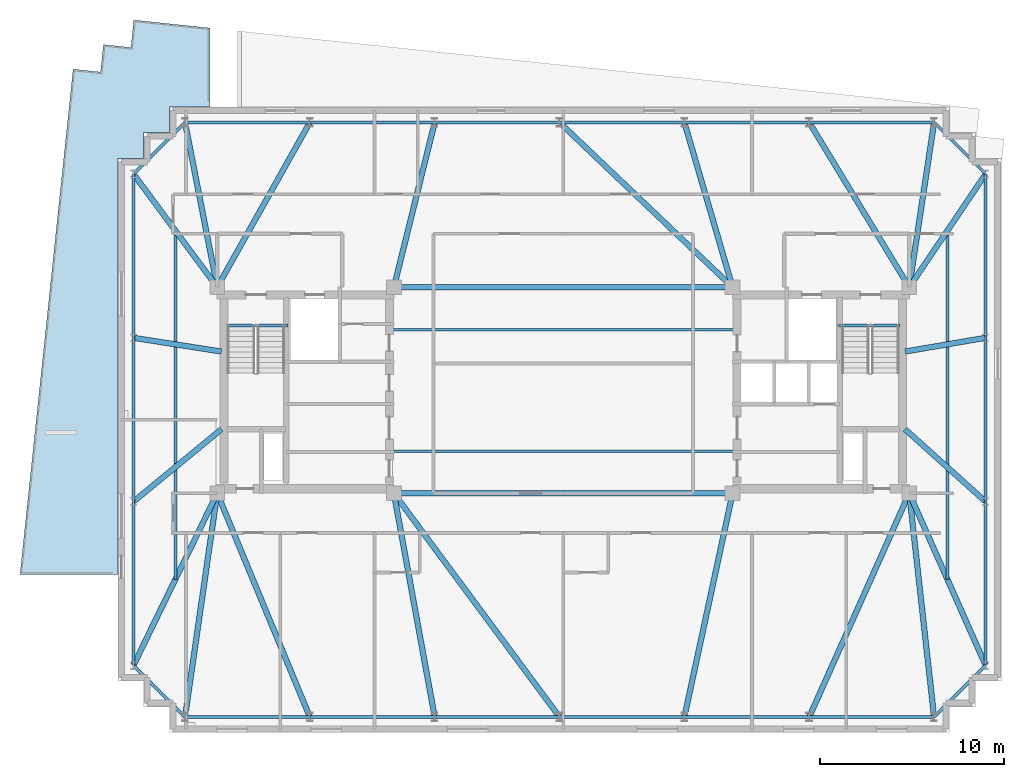
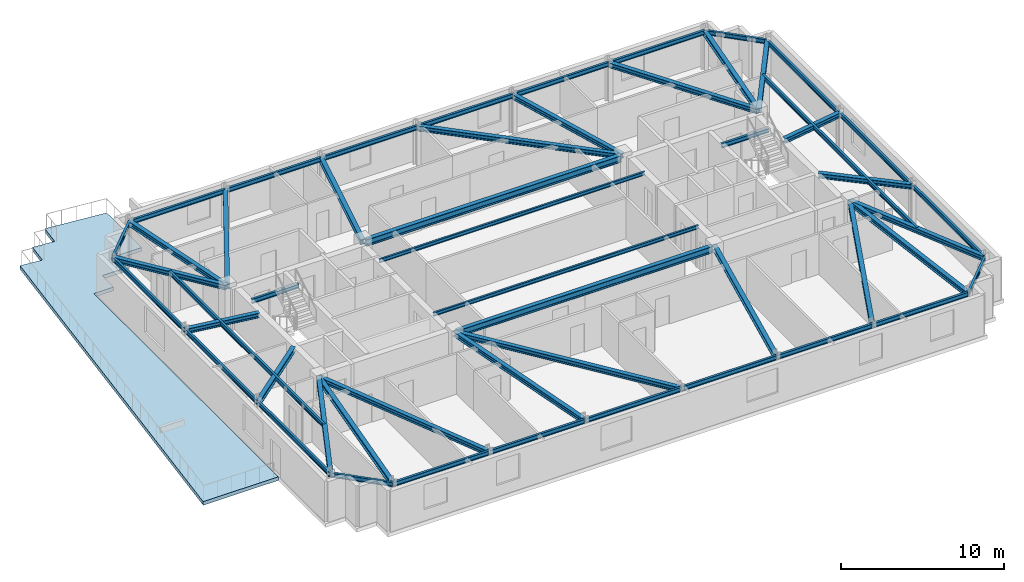
# One storey, part 4 of 12: 52 beams, 1 slab.
"""IFC4 building model written with IfcOpenShell, lengths in metres."""

from ifc_helpers import new_model, si_unit, direction, frame, origin, origin_2d, place, context, subcontext, project, spatial, polyline, i_section, outline, extrude, material, layer, layer_set, material_profile, profile_set, type_object, element, save


model = new_model("IFC4")

# Units and contexts
model_context = context("Model", 3, precision=1e-05, world=origin(), true_north=direction((0.0, 1.0)))
body_context = subcontext(model_context, "Body", "Model", "MODEL_VIEW")
ifc_project = project(units=[si_unit("LENGTHUNIT", "METRE"), si_unit("AREAUNIT", "SQUARE_METRE"), si_unit("VOLUMEUNIT", "CUBIC_METRE"), si_unit("PLANEANGLEUNIT", "RADIAN"), si_unit("MASSUNIT", "GRAM", prefix="KILO")], contexts=[model_context])

# Site, building, storey
site_placement = place(None, origin())
site = spatial("IfcSite", under=ifc_project, at=site_placement, CompositionType="ELEMENT")
building_placement = place(site_placement, origin())
building = spatial("IfcBuilding", under=site, at=building_placement, Name="Qobustan Lattice House", CompositionType="ELEMENT")
storey_placement = place(building_placement, frame((0.0, 0.0, 228.300048828125)))
storey = spatial("IfcBuildingStorey", under=building, at=storey_placement, Name="L64", CompositionType="ELEMENT", Elevation=228.300048828125)

# Beams
ifc_material_1 = material(Name="Steel S355", Category="steel")
ifc_material_profile_1 = material_profile(ifc_material_1, i_section(OverallWidth=0.300048828125, OverallDepth=0.5, WebThickness=0.014404296875, FlangeThickness=0.028076171875, FilletRadius=0.027099609375, at=origin_2d()), Name="HEB500")
ifc_profile_set_1 = profile_set([ifc_material_profile_1], Name="Steel S355")
beam_type_1 = type_object("IfcBeamType", Name="BM-CG-HEB500", PredefinedType="USERDEFINED", material=ifc_profile_set_1)
for number, where, z_axis, x_axis, name in (
    (1, (-9.050048828125, -5.60009765625, 2.7900390625), (1.0, 0.0, 0.0), (0.0, 1.0, 0.0), "L64 core spine girder CG-CS"),
    (2, (-9.050048828125, 5.60009765625, 2.7900390625), (1.0, 0.0, 0.0), (0.0, 1.0, 0.0), "L64 core spine girder CG-CN"),
):
    element("IfcBeam", number, at=place(storey_placement, frame(where, z_axis=z_axis, x_axis=x_axis)), inside=storey, type_object=beam_type_1, Name=name, ObjectType="GIRDER", PredefinedType="USERDEFINED", context=body_context, shape_type="SweptSolid", body=[
        extrude(i_section(OverallWidth=0.300048828125, OverallDepth=0.5, WebThickness=0.014404296875, FlangeThickness=0.028076171875, FilletRadius=0.027099609375, at=origin_2d()), origin(), (0.0, 0.0, 1.0), 18.10009765625),
    ])
ifc_material_2 = material(Name="Steel S355", Category="steel")
ifc_material_profile_2 = material_profile(ifc_material_2, i_section(OverallWidth=0.300048828125, OverallDepth=0.360107421875, WebThickness=0.012451171875, FlangeThickness=0.0224609375, FilletRadius=0.027099609375, at=origin_2d()), Name="HEB360")
ifc_profile_set_2 = profile_set([ifc_material_profile_2], Name="Steel S355")
beam_type_2 = type_object("IfcBeamType", Name="BM-FLG-HEB360", PredefinedType="USERDEFINED", material=ifc_profile_set_2)
beam_1_placement = place(storey_placement, frame((-20.54638671875, -17.725341796875, 2.85986328125), z_axis=(0.142545171265, 0.989788297642, 0.0), x_axis=(-0.989788297642, 0.142545171265, 0.0)))
element("IfcBeam", 3, at=beam_1_placement, inside=storey, type_object=beam_type_2, Name="L64 primary floor girder RAD-S1W", ObjectType="GIRDER", PredefinedType="USERDEFINED", context=body_context, shape_type="SweptSolid", body=[
    extrude(i_section(OverallWidth=0.300048828125, OverallDepth=0.360107421875, WebThickness=0.012451171875, FlangeThickness=0.0224609375, FilletRadius=0.027099609375, at=origin_2d()), origin(), (0.0, 0.0, 1.0), 12.225341796875),
])
beam_2_placement = place(storey_placement, frame((-13.7763671875, -17.726806640625, 2.85986328125), z_axis=(-0.38270783551, 0.92386942402, 0.0), x_axis=(-0.92386942402, -0.38270783551, 0.0)))
element("IfcBeam", 4, at=beam_2_placement, inside=storey, type_object=beam_type_2, Name="L64 primary floor girder RAD-S2", ObjectType="GIRDER", PredefinedType="USERDEFINED", context=body_context, shape_type="SweptSolid", body=[
    extrude(i_section(OverallWidth=0.300048828125, OverallDepth=0.360107421875, WebThickness=0.012451171875, FlangeThickness=0.0224609375, FilletRadius=0.027099609375, at=origin_2d()), origin(), (0.0, 0.0, 1.0), 13.10107421875),
])
beam_3_placement = place(storey_placement, frame((-6.98779296875, -17.725341796875, 2.85986328125), z_axis=(-0.179484493831, 0.983760802469, 0.0), x_axis=(-0.983760802469, -0.179484493831, 0.0)))
element("IfcBeam", 5, at=beam_3_placement, inside=storey, type_object=beam_type_2, Name="L64 primary floor girder RAD-S3", ObjectType="GIRDER", PredefinedType="USERDEFINED", context=body_context, shape_type="SweptSolid", body=[
    extrude(i_section(OverallWidth=0.300048828125, OverallDepth=0.360107421875, WebThickness=0.012451171875, FlangeThickness=0.0224609375, FilletRadius=0.027099609375, at=origin_2d()), origin(), (0.0, 0.0, 1.0), 12.300537109375),
])
beam_4_placement = place(storey_placement, frame((-0.21484375, -17.72998046875, 2.85986328125), z_axis=(-0.595225226069, 0.803558915233, 0.0), x_axis=(-0.803558915233, -0.595225226069, 0.0)))
element("IfcBeam", 6, at=beam_4_placement, inside=storey, type_object=beam_type_2, Name="L64 primary floor girder RAD-S4", ObjectType="GIRDER", PredefinedType="USERDEFINED", context=body_context, shape_type="SweptSolid", body=[
    extrude(i_section(OverallWidth=0.300048828125, OverallDepth=0.360107421875, WebThickness=0.012451171875, FlangeThickness=0.0224609375, FilletRadius=0.027099609375, at=origin_2d()), origin(), (0.0, 0.0, 1.0), 15.0703125),
])
beam_5_placement = place(storey_placement, frame((6.588623046875, -17.7255859375, 2.85986328125), z_axis=(0.210523018319, 0.977588900693, 0.0), x_axis=(-0.977588900693, 0.210523018319, 0.0)))
element("IfcBeam", 7, at=beam_5_placement, inside=storey, type_object=beam_type_2, Name="L64 primary floor girder RAD-S5", ObjectType="GIRDER", PredefinedType="USERDEFINED", context=body_context, shape_type="SweptSolid", body=[
    extrude(i_section(OverallWidth=0.300048828125, OverallDepth=0.360107421875, WebThickness=0.012451171875, FlangeThickness=0.0224609375, FilletRadius=0.027099609375, at=origin_2d()), origin(), (0.0, 0.0, 1.0), 12.37841796875),
])
beam_6_placement = place(storey_placement, frame((13.376953125, -17.727294921875, 2.85986328125), z_axis=(0.408219903586, 0.912883623643, 0.0), x_axis=(-0.912883623643, 0.408219903586, 0.0)))
element("IfcBeam", 8, at=beam_6_placement, inside=storey, type_object=beam_type_2, Name="L64 primary floor girder RAD-S6", ObjectType="GIRDER", PredefinedType="USERDEFINED", context=body_context, shape_type="SweptSolid", body=[
    extrude(i_section(OverallWidth=0.300048828125, OverallDepth=0.360107421875, WebThickness=0.012451171875, FlangeThickness=0.0224609375, FilletRadius=0.027099609375, at=origin_2d()), origin(), (0.0, 0.0, 1.0), 13.259521484375),
])
beam_7_placement = place(storey_placement, frame((20.147216796875, -17.72509765625, 2.85986328125), z_axis=(-0.110431526075, 0.993883734674, 0.0), x_axis=(-0.993883734674, -0.110431526075, 0.0)))
element("IfcBeam", 9, at=beam_7_placement, inside=storey, type_object=beam_type_2, Name="L64 primary floor girder RAD-S7E", ObjectType="GIRDER", PredefinedType="USERDEFINED", context=body_context, shape_type="SweptSolid", body=[
    extrude(i_section(OverallWidth=0.300048828125, OverallDepth=0.360107421875, WebThickness=0.012451171875, FlangeThickness=0.0224609375, FilletRadius=0.027099609375, at=origin_2d()), origin(), (0.0, 0.0, 1.0), 12.1748046875),
])
beam_8_placement = place(storey_placement, frame((-20.545166015625, 14.525390625, 2.85986328125), z_axis=(0.191905644581, -0.981413380578, 0.0), x_axis=(0.981413380578, 0.191905644581, 0.0)))
element("IfcBeam", 10, at=beam_8_placement, inside=storey, type_object=beam_type_2, Name="L64 primary floor girder RAD-N7W", ObjectType="GIRDER", PredefinedType="USERDEFINED", context=body_context, shape_type="SweptSolid", body=[
    extrude(i_section(OverallWidth=0.300048828125, OverallDepth=0.360107421875, WebThickness=0.012451171875, FlangeThickness=0.0224609375, FilletRadius=0.027099609375, at=origin_2d()), origin(), (0.0, 0.0, 1.0), 9.0693359375),
])
beam_9_placement = place(storey_placement, frame((-13.779052734375, 14.5283203125, 2.85986328125), z_axis=(-0.490160276962, -0.871632320929, 0.0), x_axis=(0.871632320929, -0.490160276962, 0.0)))
element("IfcBeam", 11, at=beam_9_placement, inside=storey, type_object=beam_type_2, Name="L64 primary floor girder RAD-N6", ObjectType="GIRDER", PredefinedType="USERDEFINED", context=body_context, shape_type="SweptSolid", body=[
    extrude(i_section(OverallWidth=0.300048828125, OverallDepth=0.360107421875, WebThickness=0.012451171875, FlangeThickness=0.0224609375, FilletRadius=0.027099609375, at=origin_2d()), origin(), (0.0, 0.0, 1.0), 10.21826171875),
])
beam_10_placement = place(storey_placement, frame((-6.9892578125, 14.525634765625, 2.85986328125), z_axis=(-0.240430288899, -0.970666408289, 0.0), x_axis=(0.970666408289, -0.240430288899, 0.0)))
element("IfcBeam", 12, at=beam_10_placement, inside=storey, type_object=beam_type_2, Name="L64 primary floor girder RAD-N5", ObjectType="GIRDER", PredefinedType="USERDEFINED", context=body_context, shape_type="SweptSolid", body=[
    extrude(i_section(OverallWidth=0.300048828125, OverallDepth=0.360107421875, WebThickness=0.012451171875, FlangeThickness=0.0224609375, FilletRadius=0.027099609375, at=origin_2d()), origin(), (0.0, 0.0, 1.0), 9.17041015625),
])
beam_11_placement = place(storey_placement, frame((-0.181884765625, 14.53271484375, 2.85986328125), z_axis=(0.724228633775, -0.689559921995, 0.0), x_axis=(0.689559921995, 0.724228633775, 0.0)))
element("IfcBeam", 13, at=beam_11_placement, inside=storey, type_object=beam_type_2, Name="L64 primary floor girder RAD-N4", ObjectType="GIRDER", PredefinedType="USERDEFINED", context=body_context, shape_type="SweptSolid", body=[
    extrude(i_section(OverallWidth=0.300048828125, OverallDepth=0.360107421875, WebThickness=0.012451171875, FlangeThickness=0.0224609375, FilletRadius=0.027099609375, at=origin_2d()), origin(), (0.0, 0.0, 1.0), 12.92919921875),
])
beam_12_placement = place(storey_placement, frame((6.59033203125, 14.52587890625, 2.85986328125), z_axis=(0.28063676088, -0.959814048888, 0.0), x_axis=(0.959814048888, 0.28063676088, 0.0)))
element("IfcBeam", 14, at=beam_12_placement, inside=storey, type_object=beam_type_2, Name="L64 primary floor girder RAD-N3", ObjectType="GIRDER", PredefinedType="USERDEFINED", context=body_context, shape_type="SweptSolid", body=[
    extrude(i_section(OverallWidth=0.300048828125, OverallDepth=0.360107421875, WebThickness=0.012451171875, FlangeThickness=0.0224609375, FilletRadius=0.027099609375, at=origin_2d()), origin(), (0.0, 0.0, 1.0), 9.274658203125),
])
beam_13_placement = place(storey_placement, frame((13.379638671875, 14.528564453125, 2.85986328125), z_axis=(0.518943895492, -0.854808302096, 0.0), x_axis=(0.854808302096, 0.518943895492, 0.0)))
element("IfcBeam", 15, at=beam_13_placement, inside=storey, type_object=beam_type_2, Name="L64 primary floor girder RAD-N2", ObjectType="GIRDER", PredefinedType="USERDEFINED", context=body_context, shape_type="SweptSolid", body=[
    extrude(i_section(OverallWidth=0.300048828125, OverallDepth=0.360107421875, WebThickness=0.012451171875, FlangeThickness=0.0224609375, FilletRadius=0.027099609375, at=origin_2d()), origin(), (0.0, 0.0, 1.0), 10.420166015625),
])
beam_14_placement = place(storey_placement, frame((20.146240234375, 14.525390625, 2.85986328125), z_axis=(-0.149148118249, -0.988814865798, 0.0), x_axis=(0.988814865798, -0.149148118249, 0.0)))
element("IfcBeam", 16, at=beam_14_placement, inside=storey, type_object=beam_type_2, Name="L64 primary floor girder RAD-N1E", ObjectType="GIRDER", PredefinedType="USERDEFINED", context=body_context, shape_type="SweptSolid", body=[
    extrude(i_section(OverallWidth=0.300048828125, OverallDepth=0.360107421875, WebThickness=0.012451171875, FlangeThickness=0.0224609375, FilletRadius=0.027099609375, at=origin_2d()), origin(), (0.0, 0.0, 1.0), 9.001220703125),
])
beam_15_placement = place(storey_placement, frame((-23.335205078125, 11.72998046875, 2.85986328125), z_axis=(0.594754993974, -0.80390702021, 0.0), x_axis=(0.80390702021, 0.594754993974, 0.0)))
element("IfcBeam", 17, at=beam_15_placement, inside=storey, type_object=beam_type_2, Name="L64 primary floor girder RAD-W1", ObjectType="GIRDER", PredefinedType="USERDEFINED", context=body_context, shape_type="SweptSolid", body=[
    extrude(i_section(OverallWidth=0.300048828125, OverallDepth=0.360107421875, WebThickness=0.012451171875, FlangeThickness=0.0224609375, FilletRadius=0.027099609375, at=origin_2d()), origin(), (0.0, 0.0, 1.0), 7.60009765625),
])
beam_16_placement = place(storey_placement, frame((-23.3251953125, 2.84619140625, 2.85986328125), z_axis=(0.988014453876, -0.154361390677, 0.0), x_axis=(0.154361390677, 0.988014453876, 0.0)))
element("IfcBeam", 18, at=beam_16_placement, inside=storey, type_object=beam_type_2, Name="L64 primary floor girder RAD-W2", ObjectType="GIRDER", PredefinedType="USERDEFINED", context=body_context, shape_type="SweptSolid", body=[
    extrude(i_section(OverallWidth=0.300048828125, OverallDepth=0.360107421875, WebThickness=0.012451171875, FlangeThickness=0.0224609375, FilletRadius=0.027099609375, at=origin_2d()), origin(), (0.0, 0.0, 1.0), 4.80810546875),
])
beam_17_placement = place(storey_placement, frame((-23.330810546875, -6.0341796875, 2.85986328125), z_axis=(0.772169041192, 0.635417163621, 0.0), x_axis=(-0.635417163621, 0.772169041192, 0.0)))
element("IfcBeam", 19, at=beam_17_placement, inside=storey, type_object=beam_type_2, Name="L64 primary floor girder RAD-W3", ObjectType="GIRDER", PredefinedType="USERDEFINED", context=body_context, shape_type="SweptSolid", body=[
    extrude(i_section(OverallWidth=0.300048828125, OverallDepth=0.360107421875, WebThickness=0.012451171875, FlangeThickness=0.0224609375, FilletRadius=0.027099609375, at=origin_2d()), origin(), (0.0, 0.0, 1.0), 6.166259765625),
])
beam_18_placement = place(storey_placement, frame((-23.339111328125, -14.927490234375, 2.85986328125), z_axis=(0.437590490598, 0.899174378271, 0.0), x_axis=(-0.899174378271, 0.437590490598, 0.0)))
element("IfcBeam", 20, at=beam_18_placement, inside=storey, type_object=beam_type_2, Name="L64 primary floor girder RAD-W4", ObjectType="GIRDER", PredefinedType="USERDEFINED", context=body_context, shape_type="SweptSolid", body=[
    extrude(i_section(OverallWidth=0.300048828125, OverallDepth=0.360107421875, WebThickness=0.012451171875, FlangeThickness=0.0224609375, FilletRadius=0.027099609375, at=origin_2d()), origin(), (0.0, 0.0, 1.0), 10.348388671875),
])
beam_19_placement = place(storey_placement, frame((22.93603515625, 11.729248046875, 2.85986328125), z_axis=(-0.559355068937, -0.828928167488, 0.0), x_axis=(0.828928167488, -0.559355068937, 0.0)))
element("IfcBeam", 21, at=beam_19_placement, inside=storey, type_object=beam_type_2, Name="L64 primary floor girder RAD-E4", ObjectType="GIRDER", PredefinedType="USERDEFINED", context=body_context, shape_type="SweptSolid", body=[
    extrude(i_section(OverallWidth=0.300048828125, OverallDepth=0.360107421875, WebThickness=0.012451171875, FlangeThickness=0.0224609375, FilletRadius=0.027099609375, at=origin_2d()), origin(), (0.0, 0.0, 1.0), 7.369384765625),
])
beam_20_placement = place(storey_placement, frame((22.92529296875, 2.845703125, 2.85986328125), z_axis=(-0.985786297247, -0.168004095664, 0.0), x_axis=(0.168004095664, -0.985786297247, 0.0)))
element("IfcBeam", 22, at=beam_20_placement, inside=storey, type_object=beam_type_2, Name="L64 primary floor girder RAD-E3", ObjectType="GIRDER", PredefinedType="USERDEFINED", context=body_context, shape_type="SweptSolid", body=[
    extrude(i_section(OverallWidth=0.300048828125, OverallDepth=0.360107421875, WebThickness=0.012451171875, FlangeThickness=0.0224609375, FilletRadius=0.027099609375, at=origin_2d()), origin(), (0.0, 0.0, 1.0), 4.413330078125),
])
beam_21_placement = place(storey_placement, frame((22.931396484375, -6.033203125, 2.85986328125), z_axis=(-0.744142492307, 0.668020921186, 0.0), x_axis=(-0.668020921186, -0.744142492307, 0.0)))
element("IfcBeam", 23, at=beam_21_placement, inside=storey, type_object=beam_type_2, Name="L64 primary floor girder RAD-E2", ObjectType="GIRDER", PredefinedType="USERDEFINED", context=body_context, shape_type="SweptSolid", body=[
    extrude(i_section(OverallWidth=0.300048828125, OverallDepth=0.360107421875, WebThickness=0.012451171875, FlangeThickness=0.0224609375, FilletRadius=0.027099609375, at=origin_2d()), origin(), (0.0, 0.0, 1.0), 5.86279296875),
])
beam_22_placement = place(storey_placement, frame((22.93994140625, -14.927001953125, 2.85986328125), z_axis=(-0.405702269061, 0.914005289306, 0.0), x_axis=(-0.914005289306, -0.405702269061, 0.0)))
element("IfcBeam", 24, at=beam_22_placement, inside=storey, type_object=beam_type_2, Name="L64 primary floor girder RAD-E1", ObjectType="GIRDER", PredefinedType="USERDEFINED", context=body_context, shape_type="SweptSolid", body=[
    extrude(i_section(OverallWidth=0.300048828125, OverallDepth=0.360107421875, WebThickness=0.012451171875, FlangeThickness=0.0224609375, FilletRadius=0.027099609375, at=origin_2d()), origin(), (0.0, 0.0, 1.0), 10.1796875),
])
ifc_material_3 = material(Name="Steel S355", Category="steel")
ifc_material_profile_3 = material_profile(ifc_material_3, i_section(OverallWidth=0.135009765625, OverallDepth=0.27001953125, WebThickness=0.006591796875, FlangeThickness=0.01025390625, FilletRadius=0.014892578125, at=origin_2d()), Name="IPE270")
ifc_profile_set_3 = profile_set([ifc_material_profile_3], Name="Steel S355")
beam_type_3 = type_object("IfcBeamType", Name="BM-JST-IPE270", PredefinedType="JOIST", material=ifc_profile_set_3)
for number, where, z_axis, x_axis, name in (
    (25, (-9.39990234375, -3.300048828125, 2.905029296875), (1.0, 0.0, 0.0), (0.0, 1.0, 0.0), "L64 central span floor joist 1"),
    (26, (-9.39990234375, 3.300048828125, 2.905029296875), (1.0, 0.0, 0.0), (0.0, 1.0, 0.0), "L64 central span floor joist 2"),
):
    element("IfcBeam", number, at=place(storey_placement, frame(where, z_axis=z_axis, x_axis=x_axis)), inside=storey, type_object=beam_type_3, Name=name, PredefinedType="JOIST", context=body_context, shape_type="SweptSolid", body=[
        extrude(i_section(OverallWidth=0.135009765625, OverallDepth=0.27001953125, WebThickness=0.006591796875, FlangeThickness=0.01025390625, FilletRadius=0.014892578125, at=origin_2d()), origin(), (0.0, 0.0, 1.0), 18.7998046875),
    ])
ifc_material_4 = material(Name="Steel S355", Category="steel")
ifc_material_profile_4 = material_profile(ifc_material_4, i_section(OverallWidth=0.159912109375, OverallDepth=0.330078125, WebThickness=0.007568359375, FlangeThickness=0.011474609375, FilletRadius=0.01806640625, at=origin_2d()), Name="IPE330")
ifc_profile_set_4 = profile_set([ifc_material_profile_4], Name="Steel S355")
beam_type_4 = type_object("IfcBeamType", Name="BM-SEC-IPE330", PredefinedType="BEAM", material=ifc_profile_set_4)
for number, where, z_axis, x_axis, name in (
    (27, (-21.074951171875, 8.675048828125, 2.875), (0.0, -1.0, 0.0), (1.0, 0.0, 0.0), "L64 west wing secondary beam"),
    (28, (20.875, 8.675048828125, 2.875), (0.0, -1.0, 0.0), (1.0, 0.0, 0.0), "L64 east wing secondary beam"),
):
    element("IfcBeam", number, at=place(storey_placement, frame(where, z_axis=z_axis, x_axis=x_axis)), inside=storey, type_object=beam_type_4, Name=name, PredefinedType="BEAM", context=body_context, shape_type="SweptSolid", body=[
        extrude(i_section(OverallWidth=0.159912109375, OverallDepth=0.330078125, WebThickness=0.007568359375, FlangeThickness=0.011474609375, FilletRadius=0.01806640625, at=origin_2d()), origin(), (0.0, 0.0, 1.0), 18.949951171875),
    ])
ifc_material_5 = material(Name="Steel S355", Category="steel")
ifc_material_profile_5 = material_profile(ifc_material_5, i_section(OverallWidth=0.159912109375, OverallDepth=0.330078125, WebThickness=0.007568359375, FlangeThickness=0.011474609375, FilletRadius=0.01806640625, at=origin_2d()), Name="IPE330")
ifc_profile_set_5 = profile_set([ifc_material_profile_5], Name="Steel S355")
beam_type_5 = type_object("IfcBeamType", Name="BM-SPD-IPE330", PredefinedType="SPANDREL", material=ifc_profile_set_5)
for number, where, z_axis, x_axis, name in (
    (29, (-18.300048828125, 3.52001953125, 2.875), (1.0, 0.0, 0.0), (0.0, 1.0, 0.0), "L64 west stair landing trimmer beam"),
    (30, (14.949951171875, 3.52001953125, 2.875), (1.0, 0.0, 0.0), (0.0, 1.0, 0.0), "L64 east stair landing trimmer beam"),
):
    element("IfcBeam", number, at=place(storey_placement, frame(where, z_axis=z_axis, x_axis=x_axis)), inside=storey, type_object=beam_type_5, Name=name, PredefinedType="SPANDREL", context=body_context, shape_type="SweptSolid", body=[
        extrude(i_section(OverallWidth=0.159912109375, OverallDepth=0.330078125, WebThickness=0.007568359375, FlangeThickness=0.011474609375, FilletRadius=0.01806640625, at=origin_2d()), origin(), (0.0, 0.0, 1.0), 3.35009765625),
    ])
beam_23_placement = place(storey_placement, frame((-20.52490234375, -17.75, 2.875), z_axis=(1.0, 0.0, 0.0), x_axis=(0.0, 1.0, 0.0)))
element("IfcBeam", 31, at=beam_23_placement, inside=storey, type_object=beam_type_5, Name="L64 perimeter spandrel S1-S2", PredefinedType="SPANDREL", context=body_context, shape_type="SweptSolid", body=[
    extrude(i_section(OverallWidth=0.159912109375, OverallDepth=0.330078125, WebThickness=0.007568359375, FlangeThickness=0.011474609375, FilletRadius=0.01806640625, at=origin_2d()), origin(), (0.0, 0.0, 1.0), 6.733154296875),
])
beam_24_placement = place(storey_placement, frame((-13.74169921875, -17.75, 2.875), z_axis=(1.0, 0.0, 0.0), x_axis=(0.0, 1.0, 0.0)))
element("IfcBeam", 32, at=beam_24_placement, inside=storey, type_object=beam_type_5, Name="L64 perimeter spandrel S2-S3", PredefinedType="SPANDREL", context=body_context, shape_type="SweptSolid", body=[
    extrude(i_section(OverallWidth=0.159912109375, OverallDepth=0.330078125, WebThickness=0.007568359375, FlangeThickness=0.011474609375, FilletRadius=0.01806640625, at=origin_2d()), origin(), (0.0, 0.0, 1.0), 6.7333984375),
])
beam_25_placement = place(storey_placement, frame((-6.958251953125, -17.75, 2.875), z_axis=(1.0, 0.0, 0.0), x_axis=(0.0, 1.0, 0.0)))
element("IfcBeam", 33, at=beam_25_placement, inside=storey, type_object=beam_type_5, Name="L64 perimeter spandrel S3-S4", PredefinedType="SPANDREL", context=body_context, shape_type="SweptSolid", body=[
    extrude(i_section(OverallWidth=0.159912109375, OverallDepth=0.330078125, WebThickness=0.007568359375, FlangeThickness=0.011474609375, FilletRadius=0.01806640625, at=origin_2d()), origin(), (0.0, 0.0, 1.0), 6.733154296875),
])
for number, where, z_axis, x_axis, name in (
    (34, (-0.175048828125, -17.75, 2.875), (1.0, 0.0, 0.0), (0.0, 1.0, 0.0), "L64 perimeter spandrel S4-S5"),
    (35, (6.6083984375, -17.75, 2.875), (1.0, 0.0, 0.0), (0.0, 1.0, 0.0), "L64 perimeter spandrel S5-S6"),
    (36, (13.3916015625, -17.75, 2.875), (1.0, 0.0, 0.0), (0.0, 1.0, 0.0), "L64 perimeter spandrel S6-S7"),
):
    element("IfcBeam", number, at=place(storey_placement, frame(where, z_axis=z_axis, x_axis=x_axis)), inside=storey, type_object=beam_type_5, Name=name, PredefinedType="SPANDREL", context=body_context, shape_type="SweptSolid", body=[
        extrude(i_section(OverallWidth=0.159912109375, OverallDepth=0.330078125, WebThickness=0.007568359375, FlangeThickness=0.011474609375, FilletRadius=0.01806640625, at=origin_2d()), origin(), (0.0, 0.0, 1.0), 6.7333984375),
    ])
beam_26_placement = place(storey_placement, frame((20.167724609375, -17.732421875, 2.875), z_axis=(0.707106781187, 0.707106781187, 0.0), x_axis=(-0.707106781187, 0.707106781187, 0.0)))
element("IfcBeam", 37, at=beam_26_placement, inside=storey, type_object=beam_type_5, Name="L64 perimeter spandrel S7-E1", PredefinedType="SPANDREL", context=body_context, shape_type="SweptSolid", body=[
    extrude(i_section(OverallWidth=0.159912109375, OverallDepth=0.330078125, WebThickness=0.007568359375, FlangeThickness=0.011474609375, FilletRadius=0.01806640625, at=origin_2d()), origin(), (0.0, 0.0, 1.0), 3.909912109375),
])
beam_27_placement = place(storey_placement, frame((22.949951171875, -14.925048828125, 2.875), z_axis=(0.0, 1.0, 0.0), x_axis=(-1.0, 0.0, 0.0)))
element("IfcBeam", 38, at=beam_27_placement, inside=storey, type_object=beam_type_5, Name="L64 perimeter spandrel E1-E2", PredefinedType="SPANDREL", context=body_context, shape_type="SweptSolid", body=[
    extrude(i_section(OverallWidth=0.159912109375, OverallDepth=0.330078125, WebThickness=0.007568359375, FlangeThickness=0.011474609375, FilletRadius=0.01806640625, at=origin_2d()), origin(), (0.0, 0.0, 1.0), 8.85009765625),
])
beam_28_placement = place(storey_placement, frame((22.949951171875, -6.02490234375, 2.875), z_axis=(0.0, 1.0, 0.0), x_axis=(-1.0, 0.0, 0.0)))
element("IfcBeam", 39, at=beam_28_placement, inside=storey, type_object=beam_type_5, Name="L64 perimeter spandrel E2-E3", PredefinedType="SPANDREL", context=body_context, shape_type="SweptSolid", body=[
    extrude(i_section(OverallWidth=0.159912109375, OverallDepth=0.330078125, WebThickness=0.007568359375, FlangeThickness=0.011474609375, FilletRadius=0.01806640625, at=origin_2d()), origin(), (0.0, 0.0, 1.0), 8.849853515625),
])
beam_29_placement = place(storey_placement, frame((22.949951171875, 2.875, 2.875), z_axis=(0.0, 1.0, 0.0), x_axis=(-1.0, 0.0, 0.0)))
element("IfcBeam", 40, at=beam_29_placement, inside=storey, type_object=beam_type_5, Name="L64 perimeter spandrel E3-E4", PredefinedType="SPANDREL", context=body_context, shape_type="SweptSolid", body=[
    extrude(i_section(OverallWidth=0.159912109375, OverallDepth=0.330078125, WebThickness=0.007568359375, FlangeThickness=0.011474609375, FilletRadius=0.01806640625, at=origin_2d()), origin(), (0.0, 0.0, 1.0), 8.85009765625),
])
beam_30_placement = place(storey_placement, frame((22.932373046875, 11.767578125, 2.875), z_axis=(-0.707106781187, 0.707106781187, 0.0), x_axis=(-0.707106781187, -0.707106781187, 0.0)))
element("IfcBeam", 41, at=beam_30_placement, inside=storey, type_object=beam_type_5, Name="L64 perimeter spandrel E4-N1", PredefinedType="SPANDREL", context=body_context, shape_type="SweptSolid", body=[
    extrude(i_section(OverallWidth=0.159912109375, OverallDepth=0.330078125, WebThickness=0.007568359375, FlangeThickness=0.011474609375, FilletRadius=0.01806640625, at=origin_2d()), origin(), (0.0, 0.0, 1.0), 3.909912109375),
])
for number, where, z_axis, x_axis, name in (
    (42, (20.125, 14.550048828125, 2.875), (-1.0, 0.0, 0.0), (0.0, -1.0, 0.0), "L64 perimeter spandrel N1-N2"),
    (43, (13.341796875, 14.550048828125, 2.875), (-1.0, 0.0, 0.0), (0.0, -1.0, 0.0), "L64 perimeter spandrel N2-N3"),
    (44, (6.558349609375, 14.550048828125, 2.875), (-1.0, 0.0, 0.0), (0.0, -1.0, 0.0), "L64 perimeter spandrel N3-N4"),
):
    element("IfcBeam", number, at=place(storey_placement, frame(where, z_axis=z_axis, x_axis=x_axis)), inside=storey, type_object=beam_type_5, Name=name, PredefinedType="SPANDREL", context=body_context, shape_type="SweptSolid", body=[
        extrude(i_section(OverallWidth=0.159912109375, OverallDepth=0.330078125, WebThickness=0.007568359375, FlangeThickness=0.011474609375, FilletRadius=0.01806640625, at=origin_2d()), origin(), (0.0, 0.0, 1.0), 6.7333984375),
    ])
beam_31_placement = place(storey_placement, frame((-0.22509765625, 14.550048828125, 2.875), z_axis=(-1.0, 0.0, 0.0), x_axis=(0.0, -1.0, 0.0)))
element("IfcBeam", 45, at=beam_31_placement, inside=storey, type_object=beam_type_5, Name="L64 perimeter spandrel N4-N5", PredefinedType="SPANDREL", context=body_context, shape_type="SweptSolid", body=[
    extrude(i_section(OverallWidth=0.159912109375, OverallDepth=0.330078125, WebThickness=0.007568359375, FlangeThickness=0.011474609375, FilletRadius=0.01806640625, at=origin_2d()), origin(), (0.0, 0.0, 1.0), 6.733154296875),
])
beam_32_placement = place(storey_placement, frame((-7.00830078125, 14.550048828125, 2.875), z_axis=(-1.0, 0.0, 0.0), x_axis=(0.0, -1.0, 0.0)))
element("IfcBeam", 46, at=beam_32_placement, inside=storey, type_object=beam_type_5, Name="L64 perimeter spandrel N5-N6", PredefinedType="SPANDREL", context=body_context, shape_type="SweptSolid", body=[
    extrude(i_section(OverallWidth=0.159912109375, OverallDepth=0.330078125, WebThickness=0.007568359375, FlangeThickness=0.011474609375, FilletRadius=0.01806640625, at=origin_2d()), origin(), (0.0, 0.0, 1.0), 6.7333984375),
])
beam_33_placement = place(storey_placement, frame((-13.791748046875, 14.550048828125, 2.875), z_axis=(-1.0, 0.0, 0.0), x_axis=(0.0, -1.0, 0.0)))
element("IfcBeam", 47, at=beam_33_placement, inside=storey, type_object=beam_type_5, Name="L64 perimeter spandrel N6-N7", PredefinedType="SPANDREL", context=body_context, shape_type="SweptSolid", body=[
    extrude(i_section(OverallWidth=0.159912109375, OverallDepth=0.330078125, WebThickness=0.007568359375, FlangeThickness=0.011474609375, FilletRadius=0.01806640625, at=origin_2d()), origin(), (0.0, 0.0, 1.0), 6.733154296875),
])
beam_34_placement = place(storey_placement, frame((-20.567626953125, 14.5322265625, 2.875), z_axis=(-0.707106781187, -0.707106781187, 0.0), x_axis=(0.707106781187, -0.707106781187, 0.0)))
element("IfcBeam", 48, at=beam_34_placement, inside=storey, type_object=beam_type_5, Name="L64 perimeter spandrel N7-W1", PredefinedType="SPANDREL", context=body_context, shape_type="SweptSolid", body=[
    extrude(i_section(OverallWidth=0.159912109375, OverallDepth=0.330078125, WebThickness=0.007568359375, FlangeThickness=0.011474609375, FilletRadius=0.01806640625, at=origin_2d()), origin(), (0.0, 0.0, 1.0), 3.909912109375),
])
beam_35_placement = place(storey_placement, frame((-23.35009765625, 11.72509765625, 2.875), z_axis=(0.0, -1.0, 0.0), x_axis=(1.0, 0.0, 0.0)))
element("IfcBeam", 49, at=beam_35_placement, inside=storey, type_object=beam_type_5, Name="L64 perimeter spandrel W1-W2", PredefinedType="SPANDREL", context=body_context, shape_type="SweptSolid", body=[
    extrude(i_section(OverallWidth=0.159912109375, OverallDepth=0.330078125, WebThickness=0.007568359375, FlangeThickness=0.011474609375, FilletRadius=0.01806640625, at=origin_2d()), origin(), (0.0, 0.0, 1.0), 8.85009765625),
])
beam_36_placement = place(storey_placement, frame((-23.35009765625, 2.824951171875, 2.875), z_axis=(0.0, -1.0, 0.0), x_axis=(1.0, 0.0, 0.0)))
element("IfcBeam", 50, at=beam_36_placement, inside=storey, type_object=beam_type_5, Name="L64 perimeter spandrel W2-W3", PredefinedType="SPANDREL", context=body_context, shape_type="SweptSolid", body=[
    extrude(i_section(OverallWidth=0.159912109375, OverallDepth=0.330078125, WebThickness=0.007568359375, FlangeThickness=0.011474609375, FilletRadius=0.01806640625, at=origin_2d()), origin(), (0.0, 0.0, 1.0), 8.849853515625),
])
beam_37_placement = place(storey_placement, frame((-23.35009765625, -6.074951171875, 2.875), z_axis=(0.0, -1.0, 0.0), x_axis=(1.0, 0.0, 0.0)))
element("IfcBeam", 51, at=beam_37_placement, inside=storey, type_object=beam_type_5, Name="L64 perimeter spandrel W3-W4", PredefinedType="SPANDREL", context=body_context, shape_type="SweptSolid", body=[
    extrude(i_section(OverallWidth=0.159912109375, OverallDepth=0.330078125, WebThickness=0.007568359375, FlangeThickness=0.011474609375, FilletRadius=0.01806640625, at=origin_2d()), origin(), (0.0, 0.0, 1.0), 8.85009765625),
])
beam_38_placement = place(storey_placement, frame((-23.332275390625, -14.9677734375, 2.875), z_axis=(0.707106781187, -0.707106781187, 0.0), x_axis=(0.707106781187, 0.707106781187, 0.0)))
element("IfcBeam", 52, at=beam_38_placement, inside=storey, type_object=beam_type_5, Name="L64 perimeter spandrel W4-S1", PredefinedType="SPANDREL", context=body_context, shape_type="SweptSolid", body=[
    extrude(i_section(OverallWidth=0.159912109375, OverallDepth=0.330078125, WebThickness=0.007568359375, FlangeThickness=0.011474609375, FilletRadius=0.01806640625, at=origin_2d()), origin(), (0.0, 0.0, 1.0), 3.909912109375),
])

# Slab
ifc_material_6 = material(Name="Concrete C40/50", Category="concrete")
ifc_layer = layer(ifc_material_6, 0.27001953125)
ifc_layer_set = layer_set([ifc_layer], Name="Concrete C40/50")
slab_type = type_object("IfcSlabType", Name="SLB-TER-270", PredefinedType="FLOOR", material=ifc_layer_set)
slab_placement = place(storey_placement, frame((0.0, 0.0, -0.27001953125)))
element("IfcSlab", 53, at=slab_placement, inside=storey, type_object=slab_type, Name="L64 NW planted spiral terrace slab", PredefinedType="FLOOR", context=body_context, shape_type="SweptSolid", body=[
    extrude(outline(polyline([(-29.515869140625, -10.0), (-24.199951171875, -10.0), (-24.199951171875, 12.60009765625), (-22.800048828125, 12.60009765625), (-22.800048828125, 14.0), (-21.39990234375, 14.0), (-21.39990234375, 15.39990234375), (-19.199951171875, 15.39990234375), (-19.199951171875, 19.68359375), (-23.333740234375, 20.1181640625), (-23.490478515625, 18.62646484375), (-24.982421875, 18.783203125), (-25.13916015625, 17.29150390625), (-26.630859375, 17.4482421875), (-29.515869140625, -10.0)])), origin(), (0.0, 0.0, 1.0), 0.27001953125),
])

save(model, "model.ifc")
